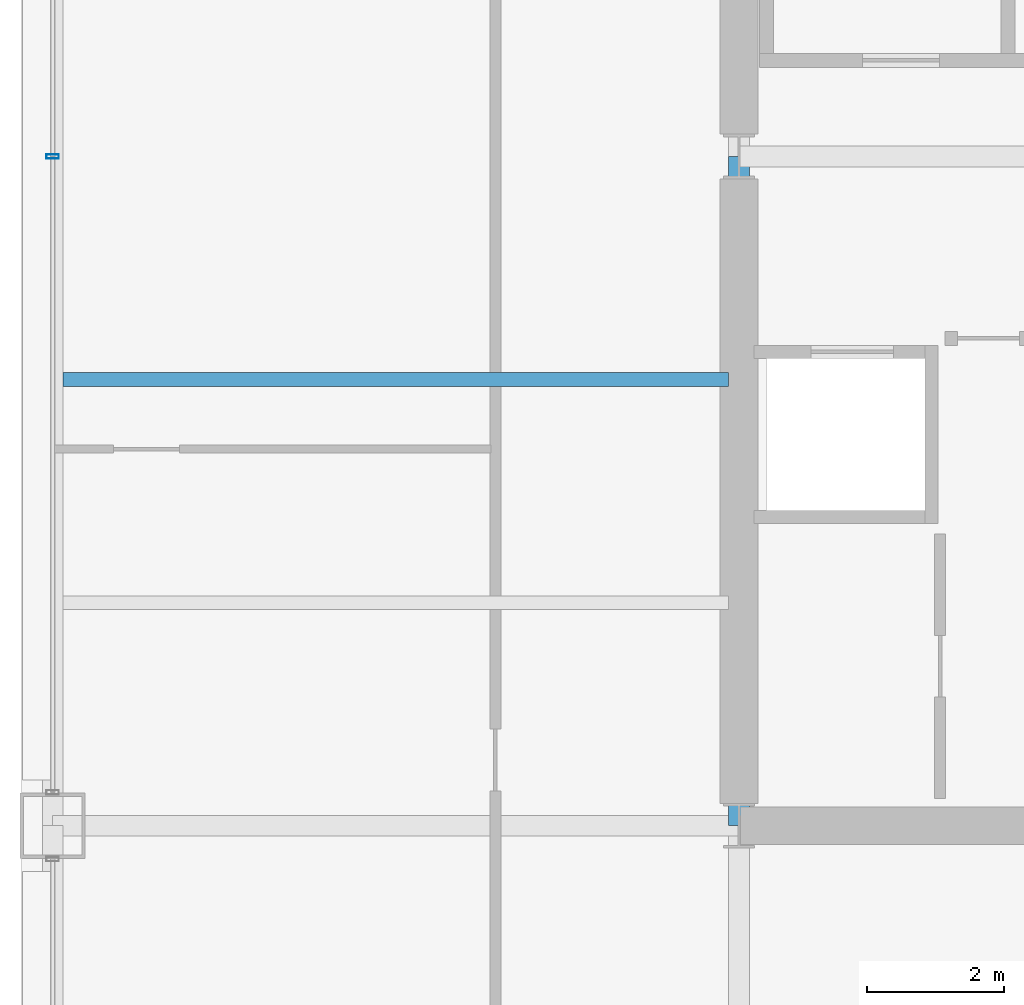
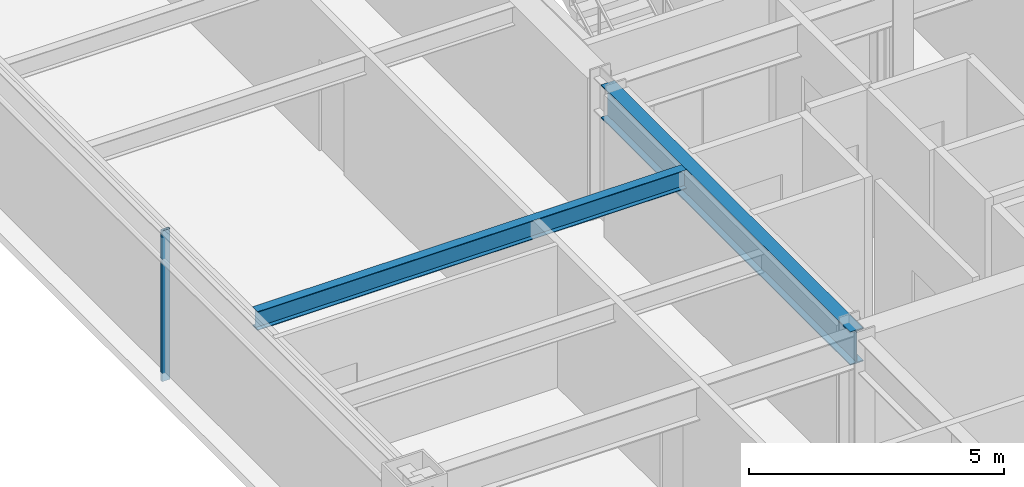
# One storey, part 7 of 31: 2 beams, 1 member, 1 element without a shape of its own.
"""IFC4 building model written with IfcOpenShell, lengths in metres."""

from ifc_helpers import new_model, si_unit, direction, frame, origin, origin_2d, place, context, subcontext, project, spatial, hollow_rectangle, i_section, extrude, material, layer, layer_set, material_profile, profile_set, type_object, element, aggregate, save


model = new_model("IFC4")

# Units and contexts
model_context = context("Model", 3, precision=1e-05, world=origin(), true_north=direction((0.0, 1.0)))
body_context = subcontext(model_context, "Body", "Model", "MODEL_VIEW")
ifc_project = project(units=[si_unit("LENGTHUNIT", "METRE"), si_unit("AREAUNIT", "SQUARE_METRE"), si_unit("VOLUMEUNIT", "CUBIC_METRE"), si_unit("PLANEANGLEUNIT", "RADIAN"), si_unit("MASSUNIT", "GRAM", prefix="KILO")], contexts=[model_context])

# Site, building, storey
site_placement = place(None, origin())
site = spatial("IfcSite", under=ifc_project, at=site_placement, CompositionType="ELEMENT")
building_placement = place(site_placement, origin())
building = spatial("IfcBuilding", under=site, at=building_placement, Name="Brelmoor Portico Tower", CompositionType="ELEMENT")
storey_placement = place(building_placement, frame((0.0, 0.0, 38.39990234375)))
storey = spatial("IfcBuildingStorey", under=building, at=storey_placement, Name="L09", CompositionType="ELEMENT", Elevation=38.39990234375)

# Beams
ifc_material_1 = material(Name="Steel Q355B", Category="steel")
ifc_material_profile_1 = material_profile(ifc_material_1, i_section(OverallWidth=0.199951171875, OverallDepth=0.449951171875, WebThickness=0.009033203125, FlangeThickness=0.013916015625, at=origin_2d()), Name="HN 450x200x9x14")
ifc_profile_set_1 = profile_set([ifc_material_profile_1], Name="Steel Q355B")
beam_type_1 = type_object("IfcBeamType", Name="BM-JS-450", PredefinedType="JOIST", material=ifc_profile_set_1)
beam_1_placement = place(storey_placement, frame((-24.39990234375, -3.25, 3.175048828125), z_axis=(1.0, 0.0, 0.0), x_axis=(0.0, 1.0, 0.0)))
element("IfcBeam", 1, at=beam_1_placement, inside=storey, type_object=beam_type_1, Name="L09 Secondary Wing Joist JS-W06", PredefinedType="JOIST", context=body_context, shape_type="SweptSolid", body=[
    extrude(i_section(OverallWidth=0.199951171875, OverallDepth=0.449951171875, WebThickness=0.009033203125, FlangeThickness=0.013916015625, at=origin_2d()), origin(), (0.0, 0.0, 1.0), 9.699951171875),
])
ifc_material_profile_2 = material_profile(ifc_material_1, i_section(OverallWidth=0.300048828125, OverallDepth=0.800048828125, WebThickness=0.013916015625, FlangeThickness=0.02587890625, at=origin_2d()), Name="HN 800x300x14x26")
ifc_profile_set_2 = profile_set([ifc_material_profile_2], Name="Steel Q355B")
beam_type_2 = type_object("IfcBeamType", Name="BM-PG-800", PredefinedType="BEAM", material=ifc_profile_set_2)
beam_2_placement = place(storey_placement, frame((-14.550048828125, -9.75, 3.0), z_axis=(0.0, 1.0, 0.0), x_axis=(-1.0, 0.0, 0.0)))
element("IfcBeam", 2, at=beam_2_placement, inside=storey, type_object=beam_type_2, Name="L09 Primary Floor Girder PG-04", PredefinedType="BEAM", context=body_context, shape_type="SweptSolid", body=[
    extrude(i_section(OverallWidth=0.300048828125, OverallDepth=0.800048828125, WebThickness=0.013916015625, FlangeThickness=0.02587890625, at=origin_2d()), origin(), (0.0, 0.0, 1.0), 9.75),
])

# Curtain wall, member
ifc_material_2 = material(Name="Anodised Aluminium Alloy 6063-T6", Category="aluminium")
ifc_layer = layer(ifc_material_2, 0.179931640625)
ifc_layer_set = layer_set([ifc_layer], Name="Anodised Aluminium Alloy 6063-T6")
curtain_wall_type = type_object("IfcCurtainWallType", Name="CW-TOWER-Z1-XB", PredefinedType="NOTDEFINED", material=ifc_layer_set)
curtain_wall_placement = place(storey_placement, origin())
curtain_wall = element("IfcCurtainWall", 3, at=curtain_wall_placement, inside=storey, type_object=curtain_wall_type, Name="L09 Curtain Wall CW-L09-03-2", PredefinedType="NOTDEFINED")
ifc_material_profile_3 = material_profile(ifc_material_2, hollow_rectangle(XDim=0.06494140625, YDim=0.179931640625, WallThickness=0.00390625, at=origin_2d()), Name="ALU MULLION 65x180")
ifc_profile_set_3 = profile_set([ifc_material_profile_3], Name="Anodised Aluminium Alloy 6063-T6")
member_type = type_object("IfcMemberType", Name="MB-CW-MULL-180", PredefinedType="MULLION", material=ifc_profile_set_3)
member_placement = place(storey_placement, frame((-24.550048828125, 0.0, -0.199951171875), z_axis=(0.0, 0.0, 1.0), x_axis=(0.0, 1.0, 0.0)))
member = element("IfcMember", 4, at=member_placement, type_object=member_type, Name="CW-L09-03-2 Mullion 01", PredefinedType="MULLION", context=body_context, shape_type="SweptSolid", body=[
    extrude(hollow_rectangle(XDim=0.06494140625, YDim=0.179931640625, WallThickness=0.00390625, at=origin_2d()), origin(), (0.0, 0.0, 1.0), 3.60009765625),
])
aggregate(curtain_wall, [member])

save(model, "model.ifc")
